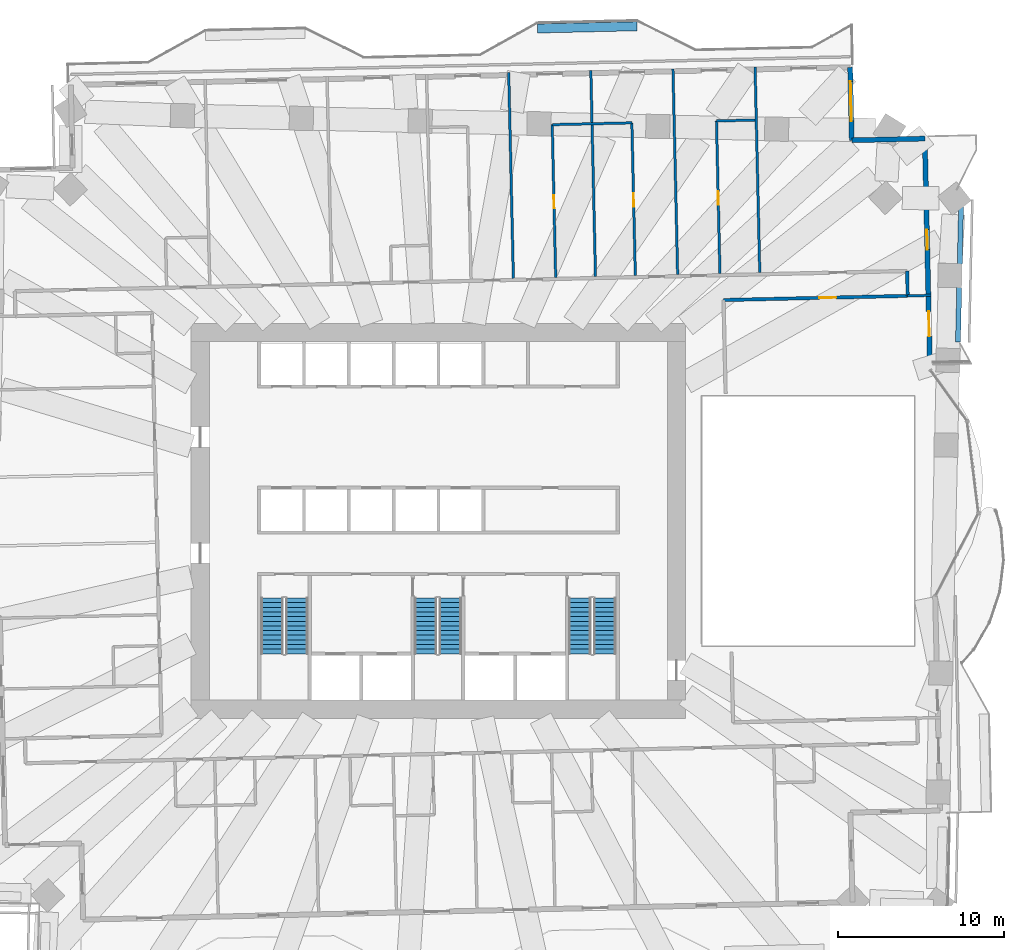
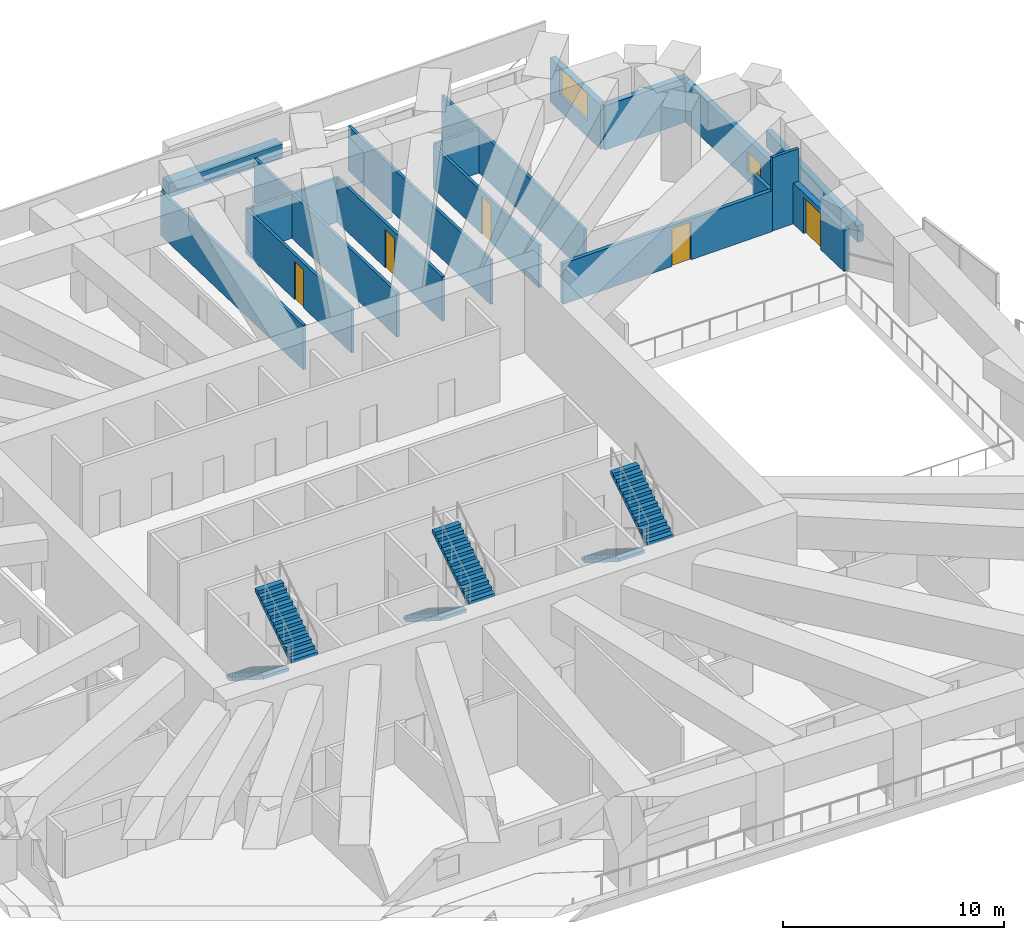
# One storey, part 15 of 20: 17 walls, 6 stair flights, 5 doors, 2 windows, 7 openings, 3 elements without a shape of their own.
"""IFC4 building model written with IfcOpenShell, lengths in metres."""

from ifc_helpers import new_model, si_unit, direction, frame, frame_2d, origin, place, context, subcontext, project, spatial, polyline, rectangle, outline, extrude, material, layer, layer_set, type_object, element, fill, aggregate, save


model = new_model("IFC4")

# Units and contexts
model_context = context("Model", 3, precision=1e-05, world=origin(), true_north=direction((0.0, 1.0)))
body_context = subcontext(model_context, "Body", "Model", "MODEL_VIEW")
ifc_project = project(units=[si_unit("LENGTHUNIT", "METRE"), si_unit("AREAUNIT", "SQUARE_METRE"), si_unit("VOLUMEUNIT", "CUBIC_METRE"), si_unit("PLANEANGLEUNIT", "RADIAN"), si_unit("MASSUNIT", "GRAM", prefix="KILO")], contexts=[model_context])

# Site, building, storey
site_placement = place(None, origin())
site = spatial("IfcSite", under=ifc_project, at=site_placement, CompositionType="ELEMENT")
building_placement = place(site_placement, origin())
building = spatial("IfcBuilding", under=site, at=building_placement, Name="Mangrove Gate Tower", CompositionType="ELEMENT")
storey_placement = place(building_placement, frame((0.0, 0.0, 74.699951171875)))
storey = spatial("IfcBuildingStorey", under=building, at=storey_placement, Name="L18", CompositionType="ELEMENT", Elevation=74.699951171875)

# Wall, opening, door
ifc_material_1 = material(Name="Gypsum board on steel stud, EI 60", Category="steel")
ifc_layer_1 = layer(ifc_material_1, 0.199951171875)
ifc_layer_set_1 = layer_set([ifc_layer_1], Name="Corridor wall EI 60")
wall_type_1 = type_object("IfcWallType", Name="Corridor wall EI 60", PredefinedType="PARTITIONING", material=ifc_layer_set_1)
wall_1_placement = place(storey_placement, frame((17.176025390625, 13.305908203125, 0.0), z_axis=(0.0, 0.0, 1.0), x_axis=(0.9997418469, 0.022720905723, 0.0)))
wall_1 = element("IfcWall", 1, at=wall_1_placement, inside=storey, type_object=wall_type_1, Name="WALL-L18-043", PredefinedType="PARTITIONING", context=body_context, shape_type="SweptSolid", body=[
    extrude(rectangle(XDim=11.099853515625, YDim=0.199951171875, at=frame_2d((5.5498046875, 0.0))), origin(), (0.0, 0.0, 1.0), 2.25),
])
opening_1_placement = place(wall_1_placement, frame((5.782958984375, 0.0, 0.0)))
opening_1 = element("IfcOpeningElement", 2, at=opening_1_placement, cuts=wall_1, Name="Opening AD", PredefinedType="OPENING", context=body_context, shape_type="SweptSolid", body=[
    extrude(rectangle(XDim=1.0, YDim=2.10009765625, at=frame_2d((0.5, 1.050048828125))), frame((0.0, 0.10986328125, 0.0), z_axis=(0.0, -1.0, 0.0), x_axis=(1.0, 0.0, 0.0)), (0.0, 0.0, 1.0), 0.219970703125),
])
ifc_material_2 = material(Name="Timber door leaf", Category="wood")
door_type_1 = type_object("IfcDoorType", Name="Amenity door 1000", OperationType="SINGLE_SWING_LEFT", PredefinedType="DOOR", material=ifc_material_2)
door_1_placement = place(opening_1_placement, origin())
door_1 = element("IfcDoor", 3, at=door_1_placement, inside=storey, type_object=door_type_1, Name="DOOR-L18-GAM-c3b", OperationType="SINGLE_SWING_LEFT", OverallHeight=2.10009765625, OverallWidth=1.0, PredefinedType="DOOR", context=body_context, shape_type="SweptSolid", body=[
    extrude(rectangle(XDim=1.0, YDim=2.10009765625, at=frame_2d((0.5, 1.050048828125))), frame((0.0, 0.02490234375, 0.0), z_axis=(0.0, -1.0, 0.0), x_axis=(1.0, 0.0, 0.0)), (0.0, 0.0, 1.0), 0.050048828125),
])
fill(opening_1, door_1)

# Wall
wall_2_placement = place(storey_placement, frame((28.277099609375, 13.55810546875, 0.0), z_axis=(0.0, 0.0, 1.0), x_axis=(-0.022780545013, 0.999740489712, 0.0)))
element("IfcWall", 4, at=wall_2_placement, inside=storey, type_object=wall_type_1, Name="WALL-L18-045", PredefinedType="PARTITIONING", context=body_context, shape_type="SweptSolid", body=[
    extrude(rectangle(XDim=1.50048828125, YDim=0.199951171875, at=frame_2d((0.750244140625, 0.0))), origin(), (0.0, 0.0, 1.0), 2.25),
])

# Wall, openings, door, window
ifc_material_3 = material(Name="Limestone", Category="masonry")
ifc_layer_2 = layer(ifc_material_3, 0.0400390625, Name="Limestone cladding")
ifc_material_4 = material(Name="Ventilated air gap")
ifc_layer_3 = layer(ifc_material_4, 0.0400390625, Name="Ventilated cavity")
ifc_material_5 = material(Name="Mineral wool insulation")
ifc_layer_4 = layer(ifc_material_5, 0.06005859375, Name="Insulation")
ifc_material_6 = material(Name="Breather membrane")
ifc_layer_5 = layer(ifc_material_6, 0.001953125, Name="Breather membrane")
ifc_material_7 = material(Name="Concrete C20/25 blockwork", Category="masonry")
ifc_layer_6 = layer(ifc_material_7, 0.14990234375, Name="Blockwork backing wall")
ifc_material_8 = material(Name="Gypsum plaster")
ifc_layer_7 = layer(ifc_material_8, 0.008056640625, Name="Internal plaster")
ifc_layer_set_2 = layer_set([ifc_layer_2, ifc_layer_3, ifc_layer_4, ifc_layer_5, ifc_layer_6, ifc_layer_7], Name="External wall 300 limestone cladding")
wall_type_2 = type_object("IfcWallType", Name="External wall 300 limestone cladding", PredefinedType="SOLIDWALL", material=ifc_layer_set_2)
wall_3_placement = place(storey_placement, frame((29.6240234375, 9.10791015625, 0.0), z_axis=(0.0, 0.0, 1.0), x_axis=(-0.022679601751, 0.999742784752, 0.0)))
wall_3 = element("IfcWall", 5, at=wall_3_placement, inside=storey, type_object=wall_type_2, Name="WALL-L18-E2", PredefinedType="SOLIDWALL", context=body_context, shape_type="SweptSolid", body=[
    extrude(rectangle(XDim=13.9296875, YDim=0.300048828125, at=frame_2d((6.96484375, 0.0))), origin(), (0.0, 0.0, 1.0), 2.25),
])
opening_2_placement = place(wall_3_placement, frame((2.014892578125, 0.0, 0.0)))
opening_2 = element("IfcOpeningElement", 6, at=opening_2_placement, cuts=wall_3, Name="Opening BD3", PredefinedType="OPENING", context=body_context, shape_type="SweptSolid", body=[
    extrude(rectangle(XDim=1.5, YDim=2.0, at=frame_2d((0.75, 1.0))), frame((0.0, 0.159912109375, 0.0), z_axis=(0.0, -1.0, 0.0), x_axis=(1.0, 0.0, 0.0)), (0.0, 0.0, 1.0), 0.320068359375),
])
opening_3_placement = place(wall_3_placement, frame((7.235107421875, 0.0, 0.5)))
opening_3 = element("IfcOpeningElement", 7, at=opening_3_placement, cuts=wall_3, Name="Opening W6", PredefinedType="OPENING", context=body_context, shape_type="SweptSolid", body=[
    extrude(rectangle(XDim=1.199951171875, YDim=1.10009765625, at=frame_2d((0.60009765625, 0.550048828125))), frame((0.0, 0.159912109375, 0.0), z_axis=(0.0, -1.0, 0.0), x_axis=(1.0, 0.0, 0.0)), (0.0, 0.0, 1.0), 0.320068359375),
])
ifc_material_9 = material(Name="Aluminium frame with laminated clear glass", Category="aluminium")
door_type_2 = type_object("IfcDoorType", Name="Balcony sliding door 1500x2000", OperationType="SLIDING_TO_LEFT", PredefinedType="DOOR", material=ifc_material_9)
door_2_placement = place(opening_2_placement, origin())
door_2 = element("IfcDoor", 8, at=door_2_placement, inside=storey, type_object=door_type_2, Name="DOOR-L18-E2-1", OperationType="SLIDING_TO_LEFT", OverallHeight=2.0, OverallWidth=1.5, PredefinedType="DOOR", context=body_context, shape_type="SweptSolid", body=[
    extrude(rectangle(XDim=1.5, YDim=2.0, at=frame_2d((0.75, 1.0))), frame((0.0, 0.02490234375, 0.0), z_axis=(0.0, -1.0, 0.0), x_axis=(1.0, 0.0, 0.0)), (0.0, 0.0, 1.0), 0.050048828125),
])
fill(opening_2, door_2)
ifc_material_10 = material(Name="Aluminium frame with double-glazed low-e glass", Category="aluminium")
window_type_1 = type_object("IfcWindowType", Name="Low window 1200x1100", PartitioningType="SINGLE_PANEL", PredefinedType="WINDOW", material=ifc_material_10)
window_1_placement = place(opening_3_placement, origin())
window_1 = element("IfcWindow", 9, at=window_1_placement, inside=storey, type_object=window_type_1, Name="WIN-L18-E2-2", OverallHeight=1.10009765625, OverallWidth=1.199951171875, PartitioningType="SINGLE_PANEL", PredefinedType="WINDOW", context=body_context, shape_type="SweptSolid", body=[
    extrude(rectangle(XDim=1.199951171875, YDim=1.10009765625, at=frame_2d((0.60009765625, 0.550048828125))), frame((0.0, 0.030029296875, 0.0), z_axis=(0.0, -1.0, 0.0), x_axis=(1.0, 0.0, 0.0)), (0.0, 0.0, 1.0), 0.06005859375),
])
fill(opening_3, window_1)

# Wall
wall_4_placement = place(storey_placement, frame((29.30810546875, 23.033935546875, 0.0), z_axis=(0.0, 0.0, 1.0), x_axis=(-0.999742493928, -0.022692418004, 0.0)))
element("IfcWall", 10, at=wall_4_placement, inside=storey, type_object=wall_type_2, Name="WALL-L18-N3", PredefinedType="SOLIDWALL", context=body_context, shape_type="SweptSolid", body=[
    extrude(rectangle(XDim=4.400390625, YDim=0.300048828125, at=frame_2d((2.2001953125, 0.0))), origin(), (0.0, 0.0, 1.0), 2.449951171875),
])

# Wall, opening, window
wall_5_placement = place(storey_placement, frame((24.908935546875, 22.93408203125, 0.0), z_axis=(0.0, 0.0, 1.0), x_axis=(-0.022693676786, 0.999742465355, 0.0)))
wall_5 = element("IfcWall", 11, at=wall_5_placement, inside=storey, type_object=wall_type_2, Name="WALL-L18-E4", PredefinedType="SOLIDWALL", context=body_context, shape_type="SweptSolid", body=[
    extrude(rectangle(XDim=4.400146484375, YDim=0.300048828125, at=frame_2d((2.2001953125, 0.0))), origin(), (0.0, 0.0, 1.0), 2.449951171875),
])
opening_4_placement = place(wall_5_placement, frame((1.14990234375, 0.0, 0.89990234375)))
opening_4 = element("IfcOpeningElement", 12, at=opening_4_placement, cuts=wall_5, Name="Opening W2", PredefinedType="OPENING", context=body_context, shape_type="SweptSolid", body=[
    extrude(rectangle(XDim=2.39990234375, YDim=1.5, at=frame_2d((1.199951171875, 0.75))), frame((0.0, 0.159912109375, 0.0), z_axis=(0.0, -1.0, 0.0), x_axis=(1.0, 0.0, 0.0)), (0.0, 0.0, 1.0), 0.320068359375),
])
ifc_material_11 = material(Name="Aluminium frame with double-glazed low-e glass", Category="aluminium")
window_type_2 = type_object("IfcWindowType", Name="Corner room window 2400x1500", PartitioningType="DOUBLE_PANEL_VERTICAL", PredefinedType="WINDOW", material=ifc_material_11)
window_2_placement = place(opening_4_placement, origin())
window_2 = element("IfcWindow", 13, at=window_2_placement, inside=storey, type_object=window_type_2, Name="WIN-L18-E4-1", OverallHeight=1.5, OverallWidth=2.39990234375, PartitioningType="DOUBLE_PANEL_VERTICAL", PredefinedType="WINDOW", context=body_context, shape_type="SweptSolid", body=[
    extrude(rectangle(XDim=2.39990234375, YDim=1.5, at=frame_2d((1.199951171875, 0.75))), frame((0.0, 0.030029296875, 0.0), z_axis=(0.0, -1.0, 0.0), x_axis=(1.0, 0.0, 0.0)), (0.0, 0.0, 1.0), 0.06005859375),
])
fill(opening_4, window_2)

# Walls
ifc_layer_8 = layer(ifc_material_3, 0.0400390625, Name="Limestone cladding")
ifc_layer_9 = layer(ifc_material_4, 0.030029296875, Name="Ventilated cavity")
ifc_layer_10 = layer(ifc_material_5, 0.050048828125, Name="Insulation")
ifc_material_12 = material(Name="Concrete C32/40", Category="concrete")
ifc_layer_11 = layer(ifc_material_12, 0.179931640625, Name="Parapet core wall")
ifc_layer_set_3 = layer_set([ifc_layer_8, ifc_layer_9, ifc_layer_10, ifc_layer_11], Name="Parapet 300 limestone")
wall_type_3 = type_object("IfcWallType", Name="Parapet 300 limestone", PredefinedType="PARAPET", material=ifc_layer_set_3)
wall_6_placement = place(storey_placement, frame((31.5029296875, 19.376953125, 0.0), z_axis=(0.0, 0.0, 1.0), x_axis=(-0.022648553695, -0.999743488609, 0.0)))
element("IfcWall", 14, at=wall_6_placement, inside=storey, type_object=wall_type_3, Name="PARAPET L18 T2.1.1", PredefinedType="PARAPET", context=body_context, shape_type="SweptSolid", body=[
    extrude(rectangle(XDim=8.60205078125, YDim=0.300048828125, at=frame_2d((4.301025390625, 0.0))), origin(), (0.0, 0.0, 1.0), 0.900146484375),
])
ifc_material_13 = material(Name="Gypsum board on steel stud, EI 60", Category="steel")
ifc_layer_12 = layer(ifc_material_13, 0.14990234375)
ifc_layer_set_4 = layer_set([ifc_layer_12], Name="Party wall 150 EI 60")
wall_type_4 = type_object("IfcWallType", Name="Party wall 150 EI 60", PredefinedType="PARTITIONING", material=ifc_layer_set_4)
wall_7_placement = place(storey_placement, frame((28.27294921875, 13.55810546875, 0.0), z_axis=(0.0, 0.0, 1.0), x_axis=(0.99973885505, 0.022852170653, 0.0)))
element("IfcWall", 15, at=wall_7_placement, inside=storey, type_object=wall_type_4, Name="WALL-L18-044", PredefinedType="PARTITIONING", context=body_context, shape_type="SweptSolid", body=[
    extrude(rectangle(XDim=1.3994140625, YDim=0.14990234375, at=frame_2d((0.69970703125, 0.0))), origin(), (0.0, 0.0, 1.0), 4.050048828125),
])
wall_8_placement = place(storey_placement, frame((4.51708984375, 14.6201171875, 0.0), z_axis=(0.0, 0.0, 1.0), x_axis=(-0.022741979748, 0.999741367733, 0.0)))
element("IfcWall", 16, at=wall_8_placement, inside=storey, type_object=wall_type_4, Name="WALL-L18-053", PredefinedType="PARTITIONING", context=body_context, shape_type="SweptSolid", body=[
    extrude(rectangle(XDim=12.399169921875, YDim=0.14990234375, at=frame_2d((6.19970703125, 0.0))), origin(), (0.0, 0.0, 1.0), 2.449951171875),
])

# Wall, opening, door
wall_9_placement = place(storey_placement, frame((7.06591796875, 14.677001953125, 0.0), z_axis=(0.0, 0.0, 1.0), x_axis=(-0.02271477479, 0.999741986218, 0.0)))
wall_9 = element("IfcWall", 17, at=wall_9_placement, inside=storey, type_object=wall_type_4, Name="WALL-L18-054", PredefinedType="PARTITIONING", context=body_context, shape_type="SweptSolid", body=[
    extrude(rectangle(XDim=9.200439453125, YDim=0.14990234375, at=frame_2d((4.60009765625, 0.0))), origin(), (0.0, 0.0, 1.0), 2.449951171875),
])
opening_5_placement = place(wall_9_placement, frame((4.14990234375, 0.0, 0.0)))
opening_5 = element("IfcOpeningElement", 18, at=opening_5_placement, cuts=wall_9, Name="Opening ED", PredefinedType="OPENING", context=body_context, shape_type="SweptSolid", body=[
    extrude(rectangle(XDim=0.800048828125, YDim=2.10009765625, at=frame_2d((0.39990234375, 1.050048828125))), frame((0.0, 0.0849609375, 0.0), z_axis=(0.0, -1.0, 0.0), x_axis=(1.0, 0.0, 0.0)), (0.0, 0.0, 1.0), 0.169921875),
])
ifc_material_14 = material(Name="Timber door leaf", Category="wood")
door_type_3 = type_object("IfcDoorType", Name="En-suite door 800", OperationType="SINGLE_SWING_LEFT", PredefinedType="DOOR", material=ifc_material_14)
door_3_placement = place(opening_5_placement, origin())
door_3 = element("IfcDoor", 19, at=door_3_placement, inside=storey, type_object=door_type_3, Name="DOOR-L18-ENS-c406", OperationType="SINGLE_SWING_RIGHT", OverallHeight=2.10009765625, OverallWidth=0.800048828125, PredefinedType="DOOR", context=body_context, shape_type="SweptSolid", body=[
    extrude(rectangle(XDim=0.800048828125, YDim=2.10009765625, at=frame_2d((0.39990234375, 1.050048828125))), frame((0.0, 0.02490234375, 0.0), z_axis=(0.0, -1.0, 0.0), x_axis=(1.0, 0.0, 0.0)), (0.0, 0.0, 1.0), 0.050048828125),
])
fill(opening_5, door_3)

# Wall
wall_10_placement = place(storey_placement, frame((9.465087890625, 14.73193359375, 0.0), z_axis=(0.0, 0.0, 1.0), x_axis=(-0.022661475803, 0.999743195783, 0.0)))
element("IfcWall", 20, at=wall_10_placement, inside=storey, type_object=wall_type_4, Name="WALL-L18-055", PredefinedType="PARTITIONING", context=body_context, shape_type="SweptSolid", body=[
    extrude(rectangle(XDim=12.400146484375, YDim=0.14990234375, at=frame_2d((6.2001953125, 0.0))), origin(), (0.0, 0.0, 1.0), 2.449951171875),
])

# Wall, opening, door
wall_11_placement = place(storey_placement, frame((11.864990234375, 14.785888671875, 0.0), z_axis=(0.0, 0.0, 1.0), x_axis=(-0.02271477479, 0.999741986218, 0.0)))
wall_11 = element("IfcWall", 21, at=wall_11_placement, inside=storey, type_object=wall_type_4, Name="WALL-L18-056", PredefinedType="PARTITIONING", context=body_context, shape_type="SweptSolid", body=[
    extrude(rectangle(XDim=9.200439453125, YDim=0.14990234375, at=frame_2d((4.60009765625, 0.0))), origin(), (0.0, 0.0, 1.0), 2.449951171875),
])
opening_6_placement = place(wall_11_placement, frame((4.14990234375, 0.0, 0.0)))
opening_6 = element("IfcOpeningElement", 22, at=opening_6_placement, cuts=wall_11, Name="Opening ED", PredefinedType="OPENING", context=body_context, shape_type="SweptSolid", body=[
    extrude(rectangle(XDim=0.800048828125, YDim=2.10009765625, at=frame_2d((0.39990234375, 1.050048828125))), frame((0.0, 0.0849609375, 0.0), z_axis=(0.0, -1.0, 0.0), x_axis=(1.0, 0.0, 0.0)), (0.0, 0.0, 1.0), 0.169921875),
])
door_4_placement = place(opening_6_placement, origin())
door_4 = element("IfcDoor", 23, at=door_4_placement, inside=storey, type_object=door_type_3, Name="DOOR-L18-ENS-c305", OperationType="SINGLE_SWING_LEFT", OverallHeight=2.10009765625, OverallWidth=0.800048828125, PredefinedType="DOOR", context=body_context, shape_type="SweptSolid", body=[
    extrude(rectangle(XDim=0.800048828125, YDim=2.10009765625, at=frame_2d((0.39990234375, 1.050048828125))), frame((0.0, 0.02490234375, 0.0), z_axis=(0.0, -1.0, 0.0), x_axis=(1.0, 0.0, 0.0)), (0.0, 0.0, 1.0), 0.050048828125),
])
fill(opening_6, door_4)

# Wall
wall_12_placement = place(storey_placement, frame((14.4140625, 14.843994140625, 0.0), z_axis=(0.0, 0.0, 1.0), x_axis=(-0.022661475803, 0.999743195783, 0.0)))
element("IfcWall", 24, at=wall_12_placement, inside=storey, type_object=wall_type_4, Name="WALL-L18-057", PredefinedType="PARTITIONING", context=body_context, shape_type="SweptSolid", body=[
    extrude(rectangle(XDim=12.400146484375, YDim=0.14990234375, at=frame_2d((6.2001953125, 0.0))), origin(), (0.0, 0.0, 1.0), 2.449951171875),
])

# Wall, opening, door
wall_13_placement = place(storey_placement, frame((16.962890625, 14.902099609375, 0.0), z_axis=(0.0, 0.0, 1.0), x_axis=(-0.022608685365, 0.999744391005, 0.0)))
wall_13 = element("IfcWall", 25, at=wall_13_placement, inside=storey, type_object=wall_type_4, Name="WALL-L18-058", PredefinedType="PARTITIONING", context=body_context, shape_type="SweptSolid", body=[
    extrude(rectangle(XDim=9.200439453125, YDim=0.14990234375, at=frame_2d((4.60009765625, 0.0))), origin(), (0.0, 0.0, 1.0), 2.35009765625),
])
opening_7_placement = place(wall_13_placement, frame((4.14990234375, 0.0, 0.0)))
opening_7 = element("IfcOpeningElement", 26, at=opening_7_placement, cuts=wall_13, Name="Opening ED", PredefinedType="OPENING", context=body_context, shape_type="SweptSolid", body=[
    extrude(rectangle(XDim=0.800048828125, YDim=2.10009765625, at=frame_2d((0.39990234375, 1.050048828125))), frame((0.0, 0.0849609375, 0.0), z_axis=(0.0, -1.0, 0.0), x_axis=(1.0, 0.0, 0.0)), (0.0, 0.0, 1.0), 0.169921875),
])
door_5_placement = place(opening_7_placement, origin())
door_5 = element("IfcDoor", 27, at=door_5_placement, inside=storey, type_object=door_type_3, Name="DOOR-L18-ENS-c304", OperationType="SINGLE_SWING_RIGHT", OverallHeight=2.10009765625, OverallWidth=0.800048828125, PredefinedType="DOOR", context=body_context, shape_type="SweptSolid", body=[
    extrude(rectangle(XDim=0.800048828125, YDim=2.10009765625, at=frame_2d((0.39990234375, 1.050048828125))), frame((0.0, 0.02490234375, 0.0), z_axis=(0.0, -1.0, 0.0), x_axis=(1.0, 0.0, 0.0)), (0.0, 0.0, 1.0), 0.050048828125),
])
fill(opening_7, door_5)

# Walls
wall_14_placement = place(storey_placement, frame((19.363037109375, 14.9560546875, 0.0), z_axis=(0.0, 0.0, 1.0), x_axis=(-0.022740189192, 0.999741408463, 0.0)))
element("IfcWall", 28, at=wall_14_placement, inside=storey, type_object=wall_type_4, Name="WALL-L18-059", PredefinedType="PARTITIONING", context=body_context, shape_type="SweptSolid", body=[
    extrude(rectangle(XDim=12.400146484375, YDim=0.14990234375, at=frame_2d((6.2001953125, 0.0))), origin(), (0.0, 0.0, 1.0), 2.35009765625),
])
wall_15_placement = place(storey_placement, frame((6.861083984375, 23.875, 0.0), z_axis=(0.0, 0.0, 1.0), x_axis=(0.999742675121, 0.022684433919, 0.0)))
element("IfcWall", 29, at=wall_15_placement, inside=storey, type_object=wall_type_4, Name="WALL-L18-063", PredefinedType="PARTITIONING", context=body_context, shape_type="SweptSolid", body=[
    extrude(rectangle(XDim=4.800048828125, YDim=0.14990234375, at=frame_2d((2.39990234375, 0.0))), origin(), (0.0, 0.0, 1.0), 2.449951171875),
])
wall_16_placement = place(storey_placement, frame((16.759033203125, 24.10009765625, 0.0), z_axis=(0.0, 0.0, 1.0), x_axis=(0.999749744571, 0.022370700241, 0.0)))
element("IfcWall", 30, at=wall_16_placement, inside=storey, type_object=wall_type_4, Name="WALL-L18-064", PredefinedType="PARTITIONING", context=body_context, shape_type="SweptSolid", body=[
    extrude(rectangle(XDim=2.324462890625, YDim=0.14990234375, at=frame_2d((1.162109375, 0.0))), origin(), (0.0, 0.0, 1.0), 2.449951171875),
])
ifc_layer_13 = layer(ifc_material_12, 0.199951171875, Name="Planter trough wall")
ifc_material_15 = material(Name="Bituminous waterproofing membrane")
ifc_layer_14 = layer(ifc_material_15, 0.0048828125, Name="Waterproofing")
ifc_material_16 = material(Name="Drainage board and gravel")
ifc_layer_15 = layer(ifc_material_16, 0.044921875, Name="Drainage layer")
ifc_material_17 = material(Name="Planting soil")
ifc_layer_16 = layer(ifc_material_17, 0.300048828125, Name="Growing medium")
ifc_layer_set_5 = layer_set([ifc_layer_13, ifc_layer_14, ifc_layer_15, ifc_layer_16], Name="Planter wall 550 C32/40")
wall_type_5 = type_object("IfcWallType", Name="Planter wall 550 C32/40", PredefinedType="USERDEFINED", material=ifc_layer_set_5)
wall_17_placement = place(storey_placement, frame((5.965087890625, 29.6708984375, 0.0), z_axis=(0.0, 0.0, 1.0), x_axis=(0.999743178102, 0.022662255828, 0.0)))
element("IfcWall", 31, at=wall_17_placement, inside=storey, type_object=wall_type_5, Name="PLANTER L18 N0.1", ObjectType="PLANTER", PredefinedType="USERDEFINED", context=body_context, shape_type="SweptSolid", body=[
    extrude(rectangle(XDim=6.00048828125, YDim=0.550048828125, at=frame_2d((3.000244140625, 0.0))), origin(), (0.0, 0.0, 1.0), 0.800048828125),
])

# Stair, stair flights
ifc_material_18 = material(Name="Concrete C40/50", Category="concrete")
stair_type = type_object("IfcStairType", Name="Core stair 1350", PredefinedType="HALF_TURN_STAIR", material=ifc_material_18)
stair_1_placement = place(storey_placement, origin())
stair_1 = element("IfcStair", 32, at=stair_1_placement, inside=storey, type_object=stair_type, Name="L18 Stair 1", PredefinedType="HALF_TURN_STAIR")
ifc_material_19 = material(Name="Concrete C40/50", Category="concrete")
stair_flight_type = type_object("IfcStairFlightType", Name="Core stair flight 1350", PredefinedType="STRAIGHT", material=ifc_material_19)
stair_flight_1_placement = place(storey_placement, frame((-10.02490234375, -4.64990234375, 0.0), z_axis=(0.0, 0.0, 1.0), x_axis=(0.0, -1.0, 0.0)))
stair_flight_1 = element("IfcStairFlight", 33, at=stair_flight_1_placement, type_object=stair_flight_type, Name="ST1 flight 1", NumberOfRisers=13, NumberOfTreads=12, PredefinedType="STRAIGHT", RiserHeight=0.176923077, TreadLength=0.28, context=body_context, shape_type="SweptSolid", body=[
    extrude(outline(polyline([(0.0, 0.0), (0.0, 0.177001953125), (0.280029296875, 0.177001953125), (0.280029296875, 0.353759765625), (0.56005859375, 0.353759765625), (0.56005859375, 0.53076171875), (0.840087890625, 0.53076171875), (0.840087890625, 0.707763671875), (1.1201171875, 0.707763671875), (1.1201171875, 0.884521484375), (1.39990234375, 0.884521484375), (1.39990234375, 1.0615234375), (1.679931640625, 1.0615234375), (1.679931640625, 1.238525390625), (1.9599609375, 1.238525390625), (1.9599609375, 1.415283203125), (2.239990234375, 1.415283203125), (2.239990234375, 1.59228515625), (2.52001953125, 1.59228515625), (2.52001953125, 1.769287109375), (2.800048828125, 1.769287109375), (2.800048828125, 1.946044921875), (3.080078125, 1.946044921875), (3.080078125, 2.123046875), (3.360107421875, 2.123046875), (3.360107421875, 2.300048828125), (3.360107421875, 1.94580078125), (0.280517578125, 0.0), (0.0, 0.0)])), frame((0.0, 0.675048828125, 0.0), z_axis=(0.0, -1.0, 0.0), x_axis=(1.0, 0.0, 0.0)), (0.0, 0.0, 1.0), 1.35009765625),
])
stair_flight_2_placement = place(storey_placement, frame((-8.52490234375, -8.010009765625, 2.300048828125), z_axis=(0.0, 0.0, 1.0), x_axis=(0.0, 1.0, 0.0)))
stair_flight_2 = element("IfcStairFlight", 34, at=stair_flight_2_placement, type_object=stair_flight_type, Name="ST1 flight 2", NumberOfRisers=13, NumberOfTreads=12, PredefinedType="STRAIGHT", RiserHeight=0.176923077, TreadLength=0.28, context=body_context, shape_type="SweptSolid", body=[
    extrude(outline(polyline([(0.0, 0.0), (0.0, 0.177001953125), (0.280029296875, 0.177001953125), (0.280029296875, 0.353759765625), (0.56005859375, 0.353759765625), (0.56005859375, 0.53076171875), (0.840087890625, 0.53076171875), (0.840087890625, 0.707763671875), (1.1201171875, 0.707763671875), (1.1201171875, 0.884521484375), (1.39990234375, 0.884521484375), (1.39990234375, 1.0615234375), (1.679931640625, 1.0615234375), (1.679931640625, 1.238525390625), (1.9599609375, 1.238525390625), (1.9599609375, 1.415283203125), (2.239990234375, 1.415283203125), (2.239990234375, 1.59228515625), (2.52001953125, 1.59228515625), (2.52001953125, 1.769287109375), (2.800048828125, 1.769287109375), (2.800048828125, 1.946044921875), (3.080078125, 1.946044921875), (3.080078125, 2.123046875), (3.360107421875, 2.123046875), (3.360107421875, 2.300048828125), (3.360107421875, 1.94580078125), (0.280517578125, 0.0), (0.0, 0.0)])), frame((0.0, 0.675048828125, 0.0), z_axis=(0.0, -1.0, 0.0), x_axis=(1.0, 0.0, 0.0)), (0.0, 0.0, 1.0), 1.35009765625),
])
aggregate(stair_1, [stair_flight_1, stair_flight_2])

stair_2_placement = place(storey_placement, origin())
stair_2 = element("IfcStair", 35, at=stair_2_placement, inside=storey, type_object=stair_type, Name="L18 Stair 2", PredefinedType="HALF_TURN_STAIR")
stair_flight_3_placement = place(storey_placement, frame((-0.77490234375, -4.64990234375, 0.0), z_axis=(0.0, 0.0, 1.0), x_axis=(0.0, -1.0, 0.0)))
stair_flight_3 = element("IfcStairFlight", 36, at=stair_flight_3_placement, type_object=stair_flight_type, Name="ST2 flight 1", NumberOfRisers=13, NumberOfTreads=12, PredefinedType="STRAIGHT", RiserHeight=0.176923077, TreadLength=0.28, context=body_context, shape_type="SweptSolid", body=[
    extrude(outline(polyline([(0.0, 0.0), (0.0, 0.177001953125), (0.280029296875, 0.177001953125), (0.280029296875, 0.353759765625), (0.56005859375, 0.353759765625), (0.56005859375, 0.53076171875), (0.840087890625, 0.53076171875), (0.840087890625, 0.707763671875), (1.1201171875, 0.707763671875), (1.1201171875, 0.884521484375), (1.39990234375, 0.884521484375), (1.39990234375, 1.0615234375), (1.679931640625, 1.0615234375), (1.679931640625, 1.238525390625), (1.9599609375, 1.238525390625), (1.9599609375, 1.415283203125), (2.239990234375, 1.415283203125), (2.239990234375, 1.59228515625), (2.52001953125, 1.59228515625), (2.52001953125, 1.769287109375), (2.800048828125, 1.769287109375), (2.800048828125, 1.946044921875), (3.080078125, 1.946044921875), (3.080078125, 2.123046875), (3.360107421875, 2.123046875), (3.360107421875, 2.300048828125), (3.360107421875, 1.94580078125), (0.280517578125, 0.0), (0.0, 0.0)])), frame((0.0, 0.675048828125, 0.0), z_axis=(0.0, -1.0, 0.0), x_axis=(1.0, 0.0, 0.0)), (0.0, 0.0, 1.0), 1.35009765625),
])
stair_flight_4_placement = place(storey_placement, frame((0.72509765625, -8.010009765625, 2.300048828125), z_axis=(0.0, 0.0, 1.0), x_axis=(0.0, 1.0, 0.0)))
stair_flight_4 = element("IfcStairFlight", 37, at=stair_flight_4_placement, type_object=stair_flight_type, Name="ST2 flight 2", NumberOfRisers=13, NumberOfTreads=12, PredefinedType="STRAIGHT", RiserHeight=0.176923077, TreadLength=0.28, context=body_context, shape_type="SweptSolid", body=[
    extrude(outline(polyline([(0.0, 0.0), (0.0, 0.177001953125), (0.280029296875, 0.177001953125), (0.280029296875, 0.353759765625), (0.56005859375, 0.353759765625), (0.56005859375, 0.53076171875), (0.840087890625, 0.53076171875), (0.840087890625, 0.707763671875), (1.1201171875, 0.707763671875), (1.1201171875, 0.884521484375), (1.39990234375, 0.884521484375), (1.39990234375, 1.0615234375), (1.679931640625, 1.0615234375), (1.679931640625, 1.238525390625), (1.9599609375, 1.238525390625), (1.9599609375, 1.415283203125), (2.239990234375, 1.415283203125), (2.239990234375, 1.59228515625), (2.52001953125, 1.59228515625), (2.52001953125, 1.769287109375), (2.800048828125, 1.769287109375), (2.800048828125, 1.946044921875), (3.080078125, 1.946044921875), (3.080078125, 2.123046875), (3.360107421875, 2.123046875), (3.360107421875, 2.300048828125), (3.360107421875, 1.94580078125), (0.280517578125, 0.0), (0.0, 0.0)])), frame((0.0, 0.675048828125, 0.0), z_axis=(0.0, -1.0, 0.0), x_axis=(1.0, 0.0, 0.0)), (0.0, 0.0, 1.0), 1.35009765625),
])
aggregate(stair_2, [stair_flight_3, stair_flight_4])

stair_3_placement = place(storey_placement, origin())
stair_3 = element("IfcStair", 38, at=stair_3_placement, inside=storey, type_object=stair_type, Name="L18 Stair 3", PredefinedType="HALF_TURN_STAIR")
stair_flight_5_placement = place(storey_placement, frame((8.52490234375, -4.64990234375, 0.0), z_axis=(0.0, 0.0, 1.0), x_axis=(0.0, -1.0, 0.0)))
stair_flight_5 = element("IfcStairFlight", 39, at=stair_flight_5_placement, type_object=stair_flight_type, Name="ST3 flight 1", NumberOfRisers=13, NumberOfTreads=12, PredefinedType="STRAIGHT", RiserHeight=0.176923077, TreadLength=0.28, context=body_context, shape_type="SweptSolid", body=[
    extrude(outline(polyline([(0.0, 0.0), (0.0, 0.177001953125), (0.280029296875, 0.177001953125), (0.280029296875, 0.353759765625), (0.56005859375, 0.353759765625), (0.56005859375, 0.53076171875), (0.840087890625, 0.53076171875), (0.840087890625, 0.707763671875), (1.1201171875, 0.707763671875), (1.1201171875, 0.884521484375), (1.39990234375, 0.884521484375), (1.39990234375, 1.0615234375), (1.679931640625, 1.0615234375), (1.679931640625, 1.238525390625), (1.9599609375, 1.238525390625), (1.9599609375, 1.415283203125), (2.239990234375, 1.415283203125), (2.239990234375, 1.59228515625), (2.52001953125, 1.59228515625), (2.52001953125, 1.769287109375), (2.800048828125, 1.769287109375), (2.800048828125, 1.946044921875), (3.080078125, 1.946044921875), (3.080078125, 2.123046875), (3.360107421875, 2.123046875), (3.360107421875, 2.300048828125), (3.360107421875, 1.94580078125), (0.280517578125, 0.0), (0.0, 0.0)])), frame((0.0, 0.675048828125, 0.0), z_axis=(0.0, -1.0, 0.0), x_axis=(1.0, 0.0, 0.0)), (0.0, 0.0, 1.0), 1.35009765625),
])
stair_flight_6_placement = place(storey_placement, frame((10.02490234375, -8.010009765625, 2.300048828125), z_axis=(0.0, 0.0, 1.0), x_axis=(0.0, 1.0, 0.0)))
stair_flight_6 = element("IfcStairFlight", 40, at=stair_flight_6_placement, type_object=stair_flight_type, Name="ST3 flight 2", NumberOfRisers=13, NumberOfTreads=12, PredefinedType="STRAIGHT", RiserHeight=0.176923077, TreadLength=0.28, context=body_context, shape_type="SweptSolid", body=[
    extrude(outline(polyline([(0.0, 0.0), (0.0, 0.177001953125), (0.280029296875, 0.177001953125), (0.280029296875, 0.353759765625), (0.56005859375, 0.353759765625), (0.56005859375, 0.53076171875), (0.840087890625, 0.53076171875), (0.840087890625, 0.707763671875), (1.1201171875, 0.707763671875), (1.1201171875, 0.884521484375), (1.39990234375, 0.884521484375), (1.39990234375, 1.0615234375), (1.679931640625, 1.0615234375), (1.679931640625, 1.238525390625), (1.9599609375, 1.238525390625), (1.9599609375, 1.415283203125), (2.239990234375, 1.415283203125), (2.239990234375, 1.59228515625), (2.52001953125, 1.59228515625), (2.52001953125, 1.769287109375), (2.800048828125, 1.769287109375), (2.800048828125, 1.946044921875), (3.080078125, 1.946044921875), (3.080078125, 2.123046875), (3.360107421875, 2.123046875), (3.360107421875, 2.300048828125), (3.360107421875, 1.94580078125), (0.280517578125, 0.0), (0.0, 0.0)])), frame((0.0, 0.675048828125, 0.0), z_axis=(0.0, -1.0, 0.0), x_axis=(1.0, 0.0, 0.0)), (0.0, 0.0, 1.0), 1.35009765625),
])
aggregate(stair_3, [stair_flight_5, stair_flight_6])

save(model, "model.ifc")
